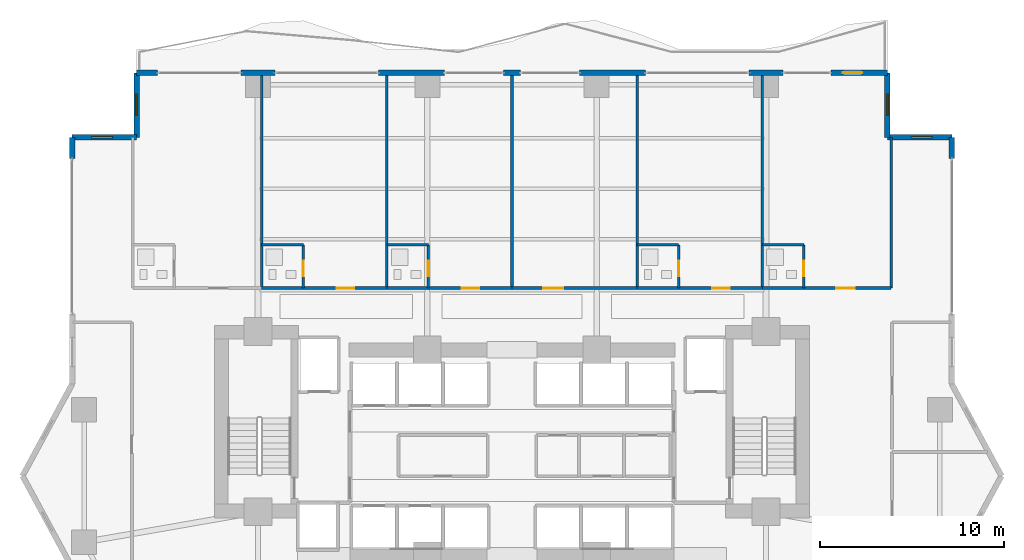
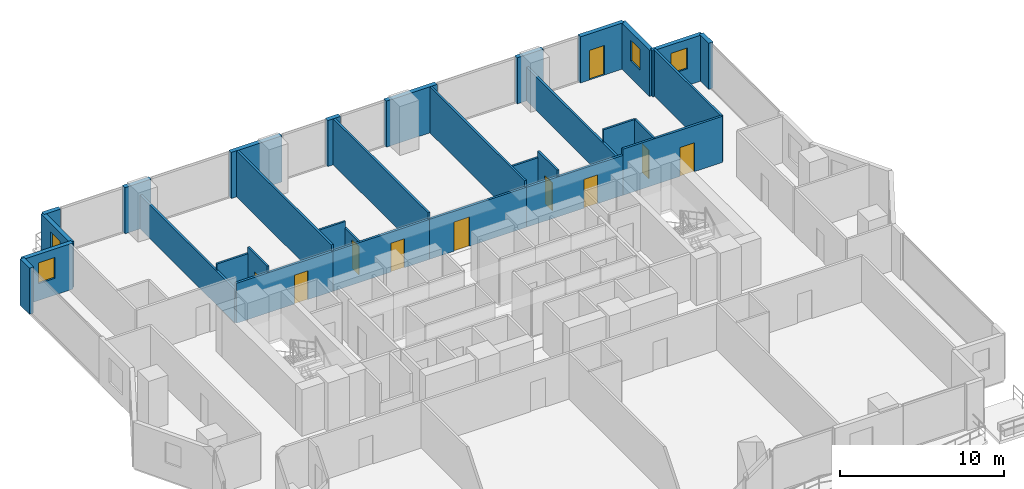
# One storey, part 24 of 30: 32 walls, 10 doors, 4 windows, 14 openings.
"""IFC4 building model written with IfcOpenShell, lengths in metres."""

import ifcopenshell
import ifcopenshell.guid

model = None  # the IFC model being written
_history = None  # IfcOwnerHistory: only IFC2X3 demands one
_inside = {}  # id of a spatial element -> (the spatial element, [elements in it])
_under = {}  # id of a project, library or spatial element -> (it, [spatial elements below it])
_declared = {}  # id of a project -> (the project, [libraries it declares])
_typed = {}  # id of a type object -> (the type object, [elements of that type])
_made_of = {}  # id of a material, layer set ... -> (it, [elements and type objects made of it])


def new_model(schema):
    """Start an empty IFC model of exactly this schema.

    Asked for "IFC4X3", IfcOpenShell would pick the latest addendum, in which some entities
    have other attributes; the version numbers below select the first issue.
    IFC2X3 requires an IfcOwnerHistory on every rooted entity: one is made here for all.
    """
    global model, _history
    if schema == "IFC4X3":
        model = ifcopenshell.file(schema_version=(4, 3, 0, 0))
    else:
        model = ifcopenshell.file(schema=schema)
    _inside.clear()
    _under.clear()
    _declared.clear()
    _typed.clear()
    _made_of.clear()
    _history = None
    if model.schema == "IFC2X3":
        org = make("IfcOrganization", Name="unknown")
        user = make(
            "IfcPersonAndOrganization",
            ThePerson=make("IfcPerson", FamilyName="unknown"),
            TheOrganization=org,
        )
        app = make(
            "IfcApplication",
            ApplicationDeveloper=org,
            Version="unknown",
            ApplicationFullName="unknown",
            ApplicationIdentifier="unknown",
        )
        _history = make(
            "IfcOwnerHistory",
            OwningUser=user,
            OwningApplication=app,
            ChangeAction="ADDED",
            CreationDate=0,
        )
    return model


def make(cls, **values):
    """One entity of the class cls with the attributes given. An attribute that is None is left unset."""
    return model.create_entity(
        cls, **{name: value for name, value in values.items() if value is not None}
    )


def rooted(cls, **values):
    """An entity with a GlobalId (a new one), such as an element, a storey or a relation."""
    return make(cls, GlobalId=ifcopenshell.guid.new(), OwnerHistory=_history, **values)


def si_unit(unit_type, name, prefix=None):
    """IfcSIUnit, for example si_unit("LENGTHUNIT", "METRE", prefix="MILLI")."""
    return make("IfcSIUnit", UnitType=unit_type, Prefix=prefix, Name=name)


def assignment(units):
    """IfcUnitAssignment: the units of a project."""
    return None if units is None else make("IfcUnitAssignment", Units=units)


def point(xyz):
    """IfcCartesianPoint."""
    return None if xyz is None else make("IfcCartesianPoint", Coordinates=xyz)


def direction(xyz):
    """IfcDirection."""
    return None if xyz is None else make("IfcDirection", DirectionRatios=xyz)


def frame(location, z_axis=None, x_axis=None):
    """IfcAxis2Placement3D, a coordinate frame: its origin and axes. An axis left out is left unset."""
    return make(
        "IfcAxis2Placement3D",
        Location=point(location),
        Axis=direction(z_axis),
        RefDirection=direction(x_axis),
    )


def frame_2d(location, x_axis=None):
    """IfcAxis2Placement2D, a coordinate frame in the plane: its origin and x axis."""
    return make(
        "IfcAxis2Placement2D", Location=point(location), RefDirection=direction(x_axis)
    )


def origin():
    """The frame at (0, 0, 0) with its axes left unset."""
    return frame((0.0, 0.0, 0.0))


def place(relative_to, where):
    """IfcLocalPlacement: puts the frame where relative to a parent placement (None: the world)."""
    return make(
        "IfcLocalPlacement", PlacementRelTo=relative_to, RelativePlacement=where
    )


def context(
    kind, dimensions, precision=None, world=None, true_north=None, identifier=None
):
    """IfcGeometricRepresentationContext, for example the 3D "Model" context."""
    return make(
        "IfcGeometricRepresentationContext",
        ContextIdentifier=identifier,
        ContextType=kind,
        CoordinateSpaceDimension=dimensions,
        Precision=precision,
        WorldCoordinateSystem=world,
        TrueNorth=true_north,
    )


def subcontext(parent, identifier, kind, view, scale=None):
    """IfcGeometricRepresentationSubContext, for example "Body" below "Model"."""
    return make(
        "IfcGeometricRepresentationSubContext",
        ContextIdentifier=identifier,
        ContextType=kind,
        ParentContext=parent,
        TargetScale=scale,
        TargetView=view,
    )


def project(units=None, contexts=None):
    """IfcProject with its units and contexts."""
    return rooted(
        "IfcProject",
        Name="project",
        RepresentationContexts=contexts,
        UnitsInContext=assignment(units),
    )


def spatial(cls, under=None, at=None, **own):
    """A site, building, storey or space (cls), placed at a placement, below another one or the project."""
    s = rooted(cls, ObjectPlacement=at, **own)
    if under is not None:
        _under.setdefault(under.id(), (under, []))[1].append(s)
    return s


def profile(cls, at=None, kind="AREA", **sizes):
    """A parametric profile (cls). Its sizes go by their IFC names, for example OverallWidth=200.0."""
    return make(cls, ProfileType=kind, Position=at, **sizes)


def rectangle(**sizes):
    """IfcRectangleProfileDef."""
    return profile("IfcRectangleProfileDef", **sizes)


def extrude(swept, where, along, depth):
    """IfcExtrudedAreaSolid: the profile swept, set in the frame where, extruded along a direction by depth."""
    return make(
        "IfcExtrudedAreaSolid",
        SweptArea=swept,
        Position=where,
        ExtrudedDirection=direction(along),
        Depth=depth,
    )


def shape(context_of_items, identifier, shape_type, items):
    """IfcShapeRepresentation: the items that make up one representation, for example the "Body"."""
    return make(
        "IfcShapeRepresentation",
        ContextOfItems=context_of_items,
        RepresentationIdentifier=identifier,
        RepresentationType=shape_type,
        Items=items,
    )


def material(Name=None, Category=None):
    """IfcMaterial."""
    return make("IfcMaterial", Name=Name, Category=Category)


def layer(
    of_material, thickness, ventilated=None, Name=None, Category=None, Priority=None
):
    """IfcMaterialLayer: one layer of a wall or slab, of a material (None: an air gap)."""
    return make(
        "IfcMaterialLayer",
        Material=of_material,
        LayerThickness=thickness,
        IsVentilated=ventilated,
        Name=Name,
        Category=Category,
        Priority=Priority,
    )


def layer_set(layers, Name=None):
    """IfcMaterialLayerSet."""
    return make("IfcMaterialLayerSet", MaterialLayers=layers, LayerSetName=Name)


def made_of(thing, what):
    """Note that an element or type object is made of a material, layer set ...; save() writes the relation."""
    if what is not None:
        _made_of.setdefault(what.id(), (what, []))[1].append(thing)
    return thing


def type_object(cls, material=None, **own):
    """A type object (cls), such as IfcWallType, which elements share."""
    return made_of(rooted(cls, **own), material)


def element(
    cls,
    number,
    at=None,
    inside=None,
    cuts=None,
    type_object=None,
    material=None,
    context=None,
    identifier="Body",
    shape_type=None,
    held_by="IfcProductDefinitionShape",
    body=None,
    shapes=None,
    **own,
):
    """One element of the class cls, such as IfcWall. Its Tag is "e" and its number.

    at: its placement. inside: the storey or other place that contains it. cuts: it is an
    opening in that element (IfcRelVoidsElement). A single representation is given by context,
    identifier, shape_type and body (its items); several are given by shapes. held_by: the class
    of the entity that holds the representations. save() writes the other relations.
    """
    e = rooted(cls, Tag="e%d" % number, ObjectPlacement=at, **own)
    if body is not None:
        shapes = [shape(context, identifier, shape_type, body)]
    if shapes is not None:
        e.Representation = make(held_by, Representations=shapes)
    if inside is not None:
        _inside.setdefault(inside.id(), (inside, []))[1].append(e)
    if cuts is not None:
        rooted(
            "IfcRelVoidsElement", RelatingBuildingElement=cuts, RelatedOpeningElement=e
        )
    if type_object is not None:
        _typed.setdefault(type_object.id(), (type_object, []))[1].append(e)
    return made_of(e, material)


def fill(opening, filler):
    """IfcRelFillsElement: the door or window that sits in an opening."""
    return rooted(
        "IfcRelFillsElement",
        RelatingOpeningElement=opening,
        RelatedBuildingElement=filler,
    )


def aggregate(whole, parts):
    """IfcRelAggregates: a whole, such as a stair, and the parts it consists of."""
    return rooted("IfcRelAggregates", RelatingObject=whole, RelatedObjects=parts)


def save(model, path):
    """Write the relations noted so far, then the file.

    IfcRelAggregates (storeys below a building ...), IfcRelContainedInSpatialStructure (elements
    in a storey), IfcRelDefinesByType, IfcRelAssociatesMaterial and IfcRelDeclares: one each for
    every whole, place, type object, material and project.
    """
    for whole, parts in _under.values():
        aggregate(whole, parts)
    for where, things in _inside.values():
        rooted(
            "IfcRelContainedInSpatialStructure",
            RelatedElements=things,
            RelatingStructure=where,
        )
    for kind, things in _typed.values():
        rooted("IfcRelDefinesByType", RelatedObjects=things, RelatingType=kind)
    for what, things in _made_of.values():
        rooted("IfcRelAssociatesMaterial", RelatedObjects=things, RelatingMaterial=what)
    for by, libraries in _declared.values():
        rooted("IfcRelDeclares", RelatingContext=by, RelatedDefinitions=libraries)
    model.write(path)


model = new_model("IFC4")

# Units and contexts
model_context = context("Model", 3, precision=1e-05, world=origin(), true_north=direction((0.0, 1.0)))
body_context = subcontext(model_context, "Body", "Model", "MODEL_VIEW")
ifc_project = project(units=[si_unit("LENGTHUNIT", "METRE"), si_unit("AREAUNIT", "SQUARE_METRE"), si_unit("VOLUMEUNIT", "CUBIC_METRE"), si_unit("PLANEANGLEUNIT", "RADIAN"), si_unit("MASSUNIT", "GRAM", prefix="KILO")], contexts=[model_context])

# Site, building, storey
site_placement = place(None, origin())
site = spatial("IfcSite", under=ifc_project, at=site_placement, CompositionType="ELEMENT")
building_placement = place(site_placement, origin())
building = spatial("IfcBuilding", under=site, at=building_placement, Name="Zuhayl Quay Hotel", CompositionType="ELEMENT")
storey_placement = place(building_placement, frame((0.0, 0.0, 128.5)))
storey = spatial("IfcBuildingStorey", under=building, at=storey_placement, Name="L32", CompositionType="ELEMENT", Elevation=128.5)

# Wall
ifc_material_1 = material(Name="Precast concrete C45/55", Category="concrete")
ifc_layer_1 = layer(ifc_material_1, 0.300048828125, Name="Precast concrete C45/55", Category="concrete")
ifc_layer_set_1 = layer_set([ifc_layer_1], Name="Precast concrete C45/55")
wall_type_1 = type_object("IfcWallType", Name="WL_EXT_300", PredefinedType="STANDARD", material=ifc_layer_set_1)
wall_1_placement = place(storey_placement, frame((-23.89990234375, 23.75, 0.0), z_axis=(0.0, 0.0, 1.0), x_axis=(0.0, 1.0, 0.0)))
element("IfcWall", 1, at=wall_1_placement, inside=storey, type_object=wall_type_1, Name="L32 Exterior Precast Wall ENV_L32_E05_EW2", PredefinedType="STANDARD", context=body_context, shape_type="SweptSolid", body=[
    extrude(rectangle(XDim=1.14990234375, YDim=0.300048828125, at=frame_2d((0.574951171875, 0.0))), origin(), (0.0, 0.0, 1.0), 3.429931640625),
])

# Wall, opening, window
wall_2_placement = place(storey_placement, frame((-23.89990234375, 24.89990234375, 0.0), z_axis=(0.0, 0.0, 1.0), x_axis=(1.0, 0.0, 0.0)))
wall_2 = element("IfcWall", 2, at=wall_2_placement, inside=storey, type_object=wall_type_1, Name="L32 Exterior Precast Wall ENV_L32_EW06", PredefinedType="STANDARD", context=body_context, shape_type="SweptSolid", body=[
    extrude(rectangle(XDim=3.5, YDim=0.300048828125, at=frame_2d((1.75, 0.0))), origin(), (0.0, 0.0, 1.0), 3.429931640625),
])
opening_1_placement = place(wall_2_placement, frame((1.06494140625, 0.0, 1.25)))
opening_1 = element("IfcOpeningElement", 3, at=opening_1_placement, cuts=wall_2, Name="Opening W01N", PredefinedType="OPENING", context=body_context, shape_type="SweptSolid", body=[
    extrude(rectangle(XDim=1.14990234375, YDim=1.550048828125, at=frame_2d((0.574951171875, 0.77490234375))), frame((0.0, 0.159912109375, 0.0), z_axis=(0.0, -1.0, 0.0), x_axis=(1.0, 0.0, 0.0)), (0.0, 0.0, 1.0), 0.320068359375),
])
ifc_material_2 = material(Name="Dark Ceramic-Fritted Solar Glass", Category="glass")
window_type = type_object("IfcWindowType", Name="WN_NOTCH_1350", PartitioningType="SINGLE_PANEL", PredefinedType="WINDOW", material=ifc_material_2)
window_1_placement = place(opening_1_placement, origin())
window_1 = element("IfcWindow", 4, at=window_1_placement, inside=storey, type_object=window_type, Name="L32 Corner Notch Window 6", OverallHeight=1.550048828125, OverallWidth=1.14990234375, PartitioningType="SINGLE_PANEL", PredefinedType="WINDOW", context=body_context, shape_type="SweptSolid", body=[
    extrude(rectangle(XDim=1.14990234375, YDim=1.550048828125, at=frame_2d((0.574951171875, 0.77490234375))), frame((0.0, 0.030029296875, 0.0), z_axis=(0.0, -1.0, 0.0), x_axis=(1.0, 0.0, 0.0)), (0.0, 0.0, 1.0), 0.06005859375),
])
fill(opening_1, window_1)

wall_3_placement = place(storey_placement, frame((-20.39990234375, 24.89990234375, 0.0), z_axis=(0.0, 0.0, 1.0), x_axis=(0.0, 1.0, 0.0)))
wall_3 = element("IfcWall", 5, at=wall_3_placement, inside=storey, type_object=wall_type_1, Name="L32 Exterior Precast Wall ENV_L32_EW07", PredefinedType="STANDARD", context=body_context, shape_type="SweptSolid", body=[
    extrude(rectangle(XDim=3.5, YDim=0.300048828125, at=frame_2d((1.75, 0.0))), origin(), (0.0, 0.0, 1.0), 3.429931640625),
])
opening_2_placement = place(wall_3_placement, frame((1.18505859375, 0.0, 1.25)))
opening_2 = element("IfcOpeningElement", 6, at=opening_2_placement, cuts=wall_3, Name="Opening W01N", PredefinedType="OPENING", context=body_context, shape_type="SweptSolid", body=[
    extrude(rectangle(XDim=1.14990234375, YDim=1.550048828125, at=frame_2d((0.574951171875, 0.77490234375))), frame((0.0, 0.159912109375, 0.0), z_axis=(0.0, -1.0, 0.0), x_axis=(1.0, 0.0, 0.0)), (0.0, 0.0, 1.0), 0.320068359375),
])
window_2_placement = place(opening_2_placement, origin())
window_2 = element("IfcWindow", 7, at=window_2_placement, inside=storey, type_object=window_type, Name="L32 Corner Notch Window 7", OverallHeight=1.550048828125, OverallWidth=1.14990234375, PartitioningType="SINGLE_PANEL", PredefinedType="WINDOW", context=body_context, shape_type="SweptSolid", body=[
    extrude(rectangle(XDim=1.14990234375, YDim=1.550048828125, at=frame_2d((0.574951171875, 0.77490234375))), frame((0.0, 0.030029296875, 0.0), z_axis=(0.0, -1.0, 0.0), x_axis=(1.0, 0.0, 0.0)), (0.0, 0.0, 1.0), 0.06005859375),
])
fill(opening_2, window_2)

# Walls
wall_4_placement = place(storey_placement, frame((-20.39990234375, 28.39990234375, 0.0), z_axis=(0.0, 0.0, 1.0), x_axis=(1.0, 0.0, 0.0)))
element("IfcWall", 8, at=wall_4_placement, inside=storey, type_object=wall_type_1, Name="L32 Exterior Precast Wall ENV_L32_N_EW1", PredefinedType="STANDARD", context=body_context, shape_type="SweptSolid", body=[
    extrude(rectangle(XDim=1.14990234375, YDim=0.300048828125, at=frame_2d((0.574951171875, 0.0))), origin(), (0.0, 0.0, 1.0), 3.429931640625),
])
wall_5_placement = place(storey_placement, frame((-14.719970703125, 28.39990234375, 0.0), z_axis=(0.0, 0.0, 1.0), x_axis=(1.0, 0.0, 0.0)))
element("IfcWall", 9, at=wall_5_placement, inside=storey, type_object=wall_type_1, Name="L32 Exterior Precast Wall ENV_L32_N_EW2", PredefinedType="STANDARD", context=body_context, shape_type="SweptSolid", body=[
    extrude(rectangle(XDim=1.840087890625, YDim=0.300048828125, at=frame_2d((0.919921875, 0.0))), origin(), (0.0, 0.0, 1.0), 3.429931640625),
])
wall_6_placement = place(storey_placement, frame((-7.25, 28.39990234375, 0.0), z_axis=(0.0, 0.0, 1.0), x_axis=(1.0, 0.0, 0.0)))
element("IfcWall", 10, at=wall_6_placement, inside=storey, type_object=wall_type_1, Name="L32 Exterior Precast Wall ENV_L32_N_EW3", PredefinedType="STANDARD", context=body_context, shape_type="SweptSolid", body=[
    extrude(rectangle(XDim=3.570068359375, YDim=0.300048828125, at=frame_2d((1.78515625, 0.0))), origin(), (0.0, 0.0, 1.0), 3.429931640625),
])
wall_7_placement = place(storey_placement, frame((-0.449951171875, 28.39990234375, 0.0), z_axis=(0.0, 0.0, 1.0), x_axis=(1.0, 0.0, 0.0)))
element("IfcWall", 11, at=wall_7_placement, inside=storey, type_object=wall_type_1, Name="L32 Exterior Precast Wall ENV_L32_N_EW4", PredefinedType="STANDARD", context=body_context, shape_type="SweptSolid", body=[
    extrude(rectangle(XDim=0.89990234375, YDim=0.300048828125, at=frame_2d((0.449951171875, 0.0))), origin(), (0.0, 0.0, 1.0), 3.429931640625),
])
wall_8_placement = place(storey_placement, frame((3.679931640625, 28.39990234375, 0.0), z_axis=(0.0, 0.0, 1.0), x_axis=(1.0, 0.0, 0.0)))
element("IfcWall", 12, at=wall_8_placement, inside=storey, type_object=wall_type_1, Name="L32 Exterior Precast Wall ENV_L32_N_EW5", PredefinedType="STANDARD", context=body_context, shape_type="SweptSolid", body=[
    extrude(rectangle(XDim=3.570068359375, YDim=0.300048828125, at=frame_2d((1.78515625, 0.0))), origin(), (0.0, 0.0, 1.0), 3.429931640625),
])
wall_9_placement = place(storey_placement, frame((12.8798828125, 28.39990234375, 0.0), z_axis=(0.0, 0.0, 1.0), x_axis=(1.0, 0.0, 0.0)))
element("IfcWall", 13, at=wall_9_placement, inside=storey, type_object=wall_type_1, Name="L32 Exterior Precast Wall ENV_L32_N_EW6", PredefinedType="STANDARD", context=body_context, shape_type="SweptSolid", body=[
    extrude(rectangle(XDim=1.840087890625, YDim=0.300048828125, at=frame_2d((0.919921875, 0.0))), origin(), (0.0, 0.0, 1.0), 3.429931640625),
])

# Wall, opening, door
wall_10_placement = place(storey_placement, frame((17.324951171875, 28.39990234375, 0.0), z_axis=(0.0, 0.0, 1.0), x_axis=(1.0, 0.0, 0.0)))
wall_10 = element("IfcWall", 14, at=wall_10_placement, inside=storey, type_object=wall_type_1, Name="L32 Exterior Precast Wall ENV_L32_N_EW7", PredefinedType="STANDARD", context=body_context, shape_type="SweptSolid", body=[
    extrude(rectangle(XDim=3.074951171875, YDim=0.300048828125, at=frame_2d((1.53759765625, 0.0))), origin(), (0.0, 0.0, 1.0), 3.429931640625),
])
opening_3_placement = place(wall_10_placement, frame((0.64990234375, 0.0, 0.0)))
opening_3 = element("IfcOpeningElement", 15, at=opening_3_placement, cuts=wall_10, Name="Opening DG1", PredefinedType="OPENING", context=body_context, shape_type="SweptSolid", body=[
    extrude(rectangle(XDim=1.050048828125, YDim=2.199951171875, at=frame_2d((0.52490234375, 1.10009765625))), frame((0.0, 0.159912109375, 0.0), z_axis=(0.0, -1.0, 0.0), x_axis=(1.0, 0.0, 0.0)), (0.0, 0.0, 1.0), 0.320068359375),
])
ifc_material_3 = material(Name="Anodised Aluminium and Dark Solar Glass", Category="aluminium")
door_type_1 = type_object("IfcDoorType", Name="DR_EXT_TERR_1050", OperationType="NOTDEFINED", PredefinedType="DOOR", material=ifc_material_3)
door_1_placement = place(opening_3_placement, origin())
door_1 = element("IfcDoor", 16, at=door_1_placement, inside=storey, type_object=door_type_1, Name="L32 North Rippling Balcony Door", OperationType="SINGLE_SWING_LEFT", OverallHeight=2.199951171875, OverallWidth=1.050048828125, PredefinedType="DOOR", context=body_context, shape_type="SweptSolid", body=[
    extrude(rectangle(XDim=1.050048828125, YDim=2.199951171875, at=frame_2d((0.52490234375, 1.10009765625))), frame((0.0, 0.02490234375, 0.0), z_axis=(0.0, -1.0, 0.0), x_axis=(1.0, 0.0, 0.0)), (0.0, 0.0, 1.0), 0.050048828125),
])
fill(opening_3, door_1)

# Wall, opening, window
wall_11_placement = place(storey_placement, frame((20.39990234375, 28.39990234375, 0.0), z_axis=(0.0, 0.0, 1.0), x_axis=(0.0, -1.0, 0.0)))
wall_11 = element("IfcWall", 17, at=wall_11_placement, inside=storey, type_object=wall_type_1, Name="L32 Exterior Precast Wall ENV_L32_EW09", PredefinedType="STANDARD", context=body_context, shape_type="SweptSolid", body=[
    extrude(rectangle(XDim=3.5, YDim=0.300048828125, at=frame_2d((1.75, 0.0))), origin(), (0.0, 0.0, 1.0), 3.429931640625),
])
opening_4_placement = place(wall_11_placement, frame((1.1650390625, 0.0, 1.25)))
opening_4 = element("IfcOpeningElement", 18, at=opening_4_placement, cuts=wall_11, Name="Opening W01N", PredefinedType="OPENING", context=body_context, shape_type="SweptSolid", body=[
    extrude(rectangle(XDim=1.14990234375, YDim=1.550048828125, at=frame_2d((0.574951171875, 0.77490234375))), frame((0.0, 0.159912109375, 0.0), z_axis=(0.0, -1.0, 0.0), x_axis=(1.0, 0.0, 0.0)), (0.0, 0.0, 1.0), 0.320068359375),
])
window_3_placement = place(opening_4_placement, origin())
window_3 = element("IfcWindow", 19, at=window_3_placement, inside=storey, type_object=window_type, Name="L32 Corner Notch Window 9", OverallHeight=1.550048828125, OverallWidth=1.14990234375, PartitioningType="SINGLE_PANEL", PredefinedType="WINDOW", context=body_context, shape_type="SweptSolid", body=[
    extrude(rectangle(XDim=1.14990234375, YDim=1.550048828125, at=frame_2d((0.574951171875, 0.77490234375))), frame((0.0, 0.030029296875, 0.0), z_axis=(0.0, -1.0, 0.0), x_axis=(1.0, 0.0, 0.0)), (0.0, 0.0, 1.0), 0.06005859375),
])
fill(opening_4, window_3)

wall_12_placement = place(storey_placement, frame((20.39990234375, 24.89990234375, 0.0), z_axis=(0.0, 0.0, 1.0), x_axis=(1.0, 0.0, 0.0)))
wall_12 = element("IfcWall", 20, at=wall_12_placement, inside=storey, type_object=wall_type_1, Name="L32 Exterior Precast Wall ENV_L32_EW10", PredefinedType="STANDARD", context=body_context, shape_type="SweptSolid", body=[
    extrude(rectangle(XDim=3.5, YDim=0.300048828125, at=frame_2d((1.75, 0.0))), origin(), (0.0, 0.0, 1.0), 3.429931640625),
])
opening_5_placement = place(wall_12_placement, frame((1.284912109375, 0.0, 1.25)))
opening_5 = element("IfcOpeningElement", 21, at=opening_5_placement, cuts=wall_12, Name="Opening W01N", PredefinedType="OPENING", context=body_context, shape_type="SweptSolid", body=[
    extrude(rectangle(XDim=1.14990234375, YDim=1.550048828125, at=frame_2d((0.574951171875, 0.77490234375))), frame((0.0, 0.159912109375, 0.0), z_axis=(0.0, -1.0, 0.0), x_axis=(1.0, 0.0, 0.0)), (0.0, 0.0, 1.0), 0.320068359375),
])
window_4_placement = place(opening_5_placement, origin())
window_4 = element("IfcWindow", 22, at=window_4_placement, inside=storey, type_object=window_type, Name="L32 Corner Notch Window 10", OverallHeight=1.550048828125, OverallWidth=1.14990234375, PartitioningType="SINGLE_PANEL", PredefinedType="WINDOW", context=body_context, shape_type="SweptSolid", body=[
    extrude(rectangle(XDim=1.14990234375, YDim=1.550048828125, at=frame_2d((0.574951171875, 0.77490234375))), frame((0.0, 0.030029296875, 0.0), z_axis=(0.0, -1.0, 0.0), x_axis=(1.0, 0.0, 0.0)), (0.0, 0.0, 1.0), 0.06005859375),
])
fill(opening_5, window_4)

# Walls
wall_13_placement = place(storey_placement, frame((23.89990234375, 24.89990234375, 0.0), z_axis=(0.0, 0.0, 1.0), x_axis=(0.0, -1.0, 0.0)))
element("IfcWall", 23, at=wall_13_placement, inside=storey, type_object=wall_type_1, Name="L32 Exterior Precast Wall ENV_L32_E11_EW1", PredefinedType="STANDARD", context=body_context, shape_type="SweptSolid", body=[
    extrude(rectangle(XDim=1.14990234375, YDim=0.300048828125, at=frame_2d((0.574951171875, 0.0))), origin(), (0.0, 0.0, 1.0), 3.429931640625),
])
ifc_material_4 = material(Name="Acoustic Gypsum Partition STC-58")
ifc_layer_2 = layer(ifc_material_4, 0.14990234375, Name="Acoustic Gypsum Partition STC-58")
ifc_layer_set_2 = layer_set([ifc_layer_2], Name="Acoustic Gypsum Partition STC-58")
wall_type_2 = type_object("IfcWallType", Name="WL_PART_150", PredefinedType="PARTITIONING", material=ifc_layer_set_2)
wall_14_placement = place(storey_placement, frame((-13.60009765625, 16.699951171875, 0.0), z_axis=(0.0, 0.0, 1.0), x_axis=(0.0, 1.0, 0.0)))
element("IfcWall", 24, at=wall_14_placement, inside=storey, type_object=wall_type_2, Name="L32 Partition IW_L32_NU01_E", PredefinedType="PARTITIONING", context=body_context, shape_type="SweptSolid", body=[
    extrude(rectangle(XDim=11.6201171875, YDim=0.14990234375, at=frame_2d((5.81005859375, 0.0))), origin(), (0.0, 0.0, 1.0), 2.5029296875),
])
for number, where, z_axis, x_axis, name in (
    (25, (-6.800048828125, 16.699951171875, 0.0), (0.0, 0.0, 1.0), (0.0, 1.0, 0.0), "L32 Partition IW_L32_NU02_E"),
    (26, (0.0, 16.699951171875, 0.0), (0.0, 0.0, 1.0), (0.0, 1.0, 0.0), "L32 Partition IW_L32_NU03_E"),
):
    element("IfcWall", number, at=place(storey_placement, frame(where, z_axis=z_axis, x_axis=x_axis)), inside=storey, type_object=wall_type_2, Name=name, PredefinedType="PARTITIONING", context=body_context, shape_type="SweptSolid", body=[
        extrude(rectangle(XDim=11.6201171875, YDim=0.14990234375, at=frame_2d((5.81005859375, 0.0))), origin(), (0.0, 0.0, 1.0), 3.429931640625),
    ])
wall_15_placement = place(storey_placement, frame((6.800048828125, 16.699951171875, 0.0), z_axis=(0.0, 0.0, 1.0), x_axis=(0.0, 1.0, 0.0)))
element("IfcWall", 27, at=wall_15_placement, inside=storey, type_object=wall_type_2, Name="L32 Partition IW_L32_NSAL_3_E", PredefinedType="PARTITIONING", context=body_context, shape_type="SweptSolid", body=[
    extrude(rectangle(XDim=11.64013671875, YDim=0.14990234375, at=frame_2d((5.820068359375, 0.0))), origin(), (0.0, 0.0, 1.0), 3.429931640625),
])
wall_16_placement = place(storey_placement, frame((13.60009765625, 16.699951171875, 0.0), z_axis=(0.0, 0.0, 1.0), x_axis=(0.0, 1.0, 0.0)))
element("IfcWall", 28, at=wall_16_placement, inside=storey, type_object=wall_type_2, Name="L32 Partition IW_L32_NU05_E", PredefinedType="PARTITIONING", context=body_context, shape_type="SweptSolid", body=[
    extrude(rectangle(XDim=11.6201171875, YDim=0.14990234375, at=frame_2d((5.81005859375, 0.0))), origin(), (0.0, 0.0, 1.0), 2.5029296875),
])
wall_17_placement = place(storey_placement, frame((20.60009765625, 16.699951171875, 0.0), z_axis=(0.0, 0.0, 1.0), x_axis=(0.0, 1.0, 0.0)))
element("IfcWall", 29, at=wall_17_placement, inside=storey, type_object=wall_type_2, Name="L32 Partition IW_L32_NU06_E", PredefinedType="PARTITIONING", context=body_context, shape_type="SweptSolid", body=[
    extrude(rectangle(XDim=8.199951171875, YDim=0.14990234375, at=frame_2d((4.10009765625, 0.0))), origin(), (0.0, 0.0, 1.0), 3.429931640625),
])

# Wall, opening, door
ifc_layer_3 = layer(ifc_material_4, 0.159912109375, Name="Acoustic Gypsum Partition STC-58")
ifc_layer_set_3 = layer_set([ifc_layer_3], Name="Acoustic Gypsum Partition STC-58")
wall_type_3 = type_object("IfcWallType", Name="WL_PART_CORR_160", PredefinedType="PARTITIONING", material=ifc_layer_set_3)
wall_18_placement = place(storey_placement, frame((-13.60009765625, 16.699951171875, 0.0), z_axis=(0.0, 0.0, 1.0), x_axis=(1.0, 0.0, 0.0)))
wall_18 = element("IfcWall", 30, at=wall_18_placement, inside=storey, type_object=wall_type_3, Name="L32 Partition IW_L32_NU02_COR", PredefinedType="PARTITIONING", context=body_context, shape_type="SweptSolid", body=[
    extrude(rectangle(XDim=6.800048828125, YDim=0.159912109375, at=frame_2d((3.39990234375, 0.0))), origin(), (0.0, 0.0, 1.0), 2.972900390625),
])
opening_6_placement = place(wall_18_placement, frame((4.074951171875, 0.0, 0.0)))
opening_6 = element("IfcOpeningElement", 31, at=opening_6_placement, cuts=wall_18, Name="Opening D03", PredefinedType="OPENING", context=body_context, shape_type="SweptSolid", body=[
    extrude(rectangle(XDim=0.949951171875, YDim=2.14990234375, at=frame_2d((0.47509765625, 1.074951171875))), frame((0.0, 0.08984375, 0.0), z_axis=(0.0, -1.0, 0.0), x_axis=(1.0, 0.0, 0.0)), (0.0, 0.0, 1.0), 0.179931640625),
])
ifc_material_5 = material(Name="Solid Walnut Acoustic Fire Door")
door_type_2 = type_object("IfcDoorType", Name="DR_SUITE_950", OperationType="NOTDEFINED", PredefinedType="DOOR", material=ifc_material_5)
door_2_placement = place(opening_6_placement, origin())
door_2 = element("IfcDoor", 32, at=door_2_placement, inside=storey, type_object=door_type_2, Name="L32 Deluxe Gulf Guest Room L32-02 Entrance Door", OperationType="SINGLE_SWING_RIGHT", OverallHeight=2.14990234375, OverallWidth=0.949951171875, PredefinedType="DOOR", context=body_context, shape_type="SweptSolid", body=[
    extrude(rectangle(XDim=0.949951171875, YDim=2.14990234375, at=frame_2d((0.47509765625, 1.074951171875))), frame((0.0, 0.02490234375, 0.0), z_axis=(0.0, -1.0, 0.0), x_axis=(1.0, 0.0, 0.0)), (0.0, 0.0, 1.0), 0.050048828125),
])
fill(opening_6, door_2)

wall_19_placement = place(storey_placement, frame((-6.800048828125, 16.699951171875, 0.0), z_axis=(0.0, 0.0, 1.0), x_axis=(1.0, 0.0, 0.0)))
wall_19 = element("IfcWall", 33, at=wall_19_placement, inside=storey, type_object=wall_type_3, Name="L32 Partition IW_L32_NU03_COR", PredefinedType="PARTITIONING", context=body_context, shape_type="SweptSolid", body=[
    extrude(rectangle(XDim=6.800048828125, YDim=0.159912109375, at=frame_2d((3.39990234375, 0.0))), origin(), (0.0, 0.0, 1.0), 2.972900390625),
])
opening_7_placement = place(wall_19_placement, frame((4.074951171875, 0.0, 0.0)))
opening_7 = element("IfcOpeningElement", 34, at=opening_7_placement, cuts=wall_19, Name="Opening D03", PredefinedType="OPENING", context=body_context, shape_type="SweptSolid", body=[
    extrude(rectangle(XDim=0.949951171875, YDim=2.14990234375, at=frame_2d((0.47509765625, 1.074951171875))), frame((0.0, 0.08984375, 0.0), z_axis=(0.0, -1.0, 0.0), x_axis=(1.0, 0.0, 0.0)), (0.0, 0.0, 1.0), 0.179931640625),
])
door_3_placement = place(opening_7_placement, origin())
door_3 = element("IfcDoor", 35, at=door_3_placement, inside=storey, type_object=door_type_2, Name="L32 Deluxe Gulf Guest Room L32-03 Entrance Door", OperationType="SINGLE_SWING_RIGHT", OverallHeight=2.14990234375, OverallWidth=0.949951171875, PredefinedType="DOOR", context=body_context, shape_type="SweptSolid", body=[
    extrude(rectangle(XDim=0.949951171875, YDim=2.14990234375, at=frame_2d((0.47509765625, 1.074951171875))), frame((0.0, 0.02490234375, 0.0), z_axis=(0.0, -1.0, 0.0), x_axis=(1.0, 0.0, 0.0)), (0.0, 0.0, 1.0), 0.050048828125),
])
fill(opening_7, door_3)

wall_20_placement = place(storey_placement, frame((0.0, 16.699951171875, 0.0), z_axis=(0.0, 0.0, 1.0), x_axis=(1.0, 0.0, 0.0)))
wall_20 = element("IfcWall", 36, at=wall_20_placement, inside=storey, type_object=wall_type_3, Name="L32 Partition IW_L32_NSAL_3_S", PredefinedType="PARTITIONING", context=body_context, shape_type="SweptSolid", body=[
    extrude(rectangle(XDim=6.800048828125, YDim=0.159912109375, at=frame_2d((3.39990234375, 0.0))), origin(), (0.0, 0.0, 1.0), 2.972900390625),
])
opening_8_placement = place(wall_20_placement, frame((1.7099609375, 0.0, 0.0)))
opening_8 = element("IfcOpeningElement", 37, at=opening_8_placement, cuts=wall_20, Name="Opening D05A", PredefinedType="OPENING", context=body_context, shape_type="SweptSolid", body=[
    extrude(rectangle(XDim=1.080078125, YDim=2.179931640625, at=frame_2d((0.5400390625, 1.08984375))), frame((0.0, 0.08984375, 0.0), z_axis=(0.0, -1.0, 0.0), x_axis=(1.0, 0.0, 0.0)), (0.0, 0.0, 1.0), 0.179931640625),
])
door_type_3 = type_object("IfcDoorType", Name="DR_INT_1100", OperationType="NOTDEFINED", PredefinedType="DOOR", material=ifc_material_5)
door_4_placement = place(opening_8_placement, origin())
door_4 = element("IfcDoor", 38, at=door_4_placement, inside=storey, type_object=door_type_3, Name="L32 Private Dining Salon Door", OperationType="SINGLE_SWING_LEFT", OverallHeight=2.179931640625, OverallWidth=1.080078125, PredefinedType="DOOR", context=body_context, shape_type="SweptSolid", body=[
    extrude(rectangle(XDim=1.080078125, YDim=2.179931640625, at=frame_2d((0.5400390625, 1.08984375))), frame((0.0, 0.02490234375, 0.0), z_axis=(0.0, -1.0, 0.0), x_axis=(1.0, 0.0, 0.0)), (0.0, 0.0, 1.0), 0.050048828125),
])
fill(opening_8, door_4)

wall_21_placement = place(storey_placement, frame((6.800048828125, 16.699951171875, 0.0), z_axis=(0.0, 0.0, 1.0), x_axis=(1.0, 0.0, 0.0)))
wall_21 = element("IfcWall", 39, at=wall_21_placement, inside=storey, type_object=wall_type_3, Name="L32 Partition IW_L32_NU05_COR", PredefinedType="PARTITIONING", context=body_context, shape_type="SweptSolid", body=[
    extrude(rectangle(XDim=6.800048828125, YDim=0.159912109375, at=frame_2d((3.39990234375, 0.0))), origin(), (0.0, 0.0, 1.0), 2.972900390625),
])
opening_9_placement = place(wall_21_placement, frame((4.074951171875, 0.0, 0.0)))
opening_9 = element("IfcOpeningElement", 40, at=opening_9_placement, cuts=wall_21, Name="Opening D03", PredefinedType="OPENING", context=body_context, shape_type="SweptSolid", body=[
    extrude(rectangle(XDim=0.949951171875, YDim=2.14990234375, at=frame_2d((0.47509765625, 1.074951171875))), frame((0.0, 0.08984375, 0.0), z_axis=(0.0, -1.0, 0.0), x_axis=(1.0, 0.0, 0.0)), (0.0, 0.0, 1.0), 0.179931640625),
])
door_5_placement = place(opening_9_placement, origin())
door_5 = element("IfcDoor", 41, at=door_5_placement, inside=storey, type_object=door_type_2, Name="L32 Deluxe Gulf Guest Room L32-05 Entrance Door", OperationType="SINGLE_SWING_LEFT", OverallHeight=2.14990234375, OverallWidth=0.949951171875, PredefinedType="DOOR", context=body_context, shape_type="SweptSolid", body=[
    extrude(rectangle(XDim=0.949951171875, YDim=2.14990234375, at=frame_2d((0.47509765625, 1.074951171875))), frame((0.0, 0.02490234375, 0.0), z_axis=(0.0, -1.0, 0.0), x_axis=(1.0, 0.0, 0.0)), (0.0, 0.0, 1.0), 0.050048828125),
])
fill(opening_9, door_5)

wall_22_placement = place(storey_placement, frame((13.60009765625, 16.699951171875, 0.0), z_axis=(0.0, 0.0, 1.0), x_axis=(1.0, 0.0, 0.0)))
wall_22 = element("IfcWall", 42, at=wall_22_placement, inside=storey, type_object=wall_type_3, Name="L32 Partition IW_L32_NU06_COR", PredefinedType="PARTITIONING", context=body_context, shape_type="SweptSolid", body=[
    extrude(rectangle(XDim=7.0, YDim=0.159912109375, at=frame_2d((3.5, 0.0))), origin(), (0.0, 0.0, 1.0), 3.429931640625),
])
opening_10_placement = place(wall_22_placement, frame((4.02490234375, 0.0, 0.0)))
opening_10 = element("IfcOpeningElement", 43, at=opening_10_placement, cuts=wall_22, Name="Opening D03L", PredefinedType="OPENING", context=body_context, shape_type="SweptSolid", body=[
    extrude(rectangle(XDim=1.0, YDim=2.14990234375, at=frame_2d((0.5, 1.074951171875))), frame((0.0, 0.08984375, 0.0), z_axis=(0.0, -1.0, 0.0), x_axis=(1.0, 0.0, 0.0)), (0.0, 0.0, 1.0), 0.179931640625),
])
door_type_4 = type_object("IfcDoorType", Name="DR_SUITE_1000", OperationType="NOTDEFINED", PredefinedType="DOOR", material=ifc_material_5)
door_6_placement = place(opening_10_placement, origin())
door_6 = element("IfcDoor", 44, at=door_6_placement, inside=storey, type_object=door_type_4, Name="L32 Deluxe Gulf Junior Suite L32-06 Entrance Door", OperationType="SINGLE_SWING_LEFT", OverallHeight=2.14990234375, OverallWidth=1.0, PredefinedType="DOOR", context=body_context, shape_type="SweptSolid", body=[
    extrude(rectangle(XDim=1.0, YDim=2.14990234375, at=frame_2d((0.5, 1.074951171875))), frame((0.0, 0.02490234375, 0.0), z_axis=(0.0, -1.0, 0.0), x_axis=(1.0, 0.0, 0.0)), (0.0, 0.0, 1.0), 0.050048828125),
])
fill(opening_10, door_6)

ifc_material_6 = material(Name="Moisture-Resistant Sanitarychase Gypsum")
ifc_layer_4 = layer(ifc_material_6, 0.135009765625, Name="Moisture-Resistant Sanitarychase Gypsum")
ifc_layer_set_4 = layer_set([ifc_layer_4], Name="Moisture-Resistant Sanitarychase Gypsum")
wall_type_4 = type_object("IfcWallType", Name="WL_PART_PLUMB_150", PredefinedType="PLUMBINGWALL", material=ifc_layer_set_4)
wall_23_placement = place(storey_placement, frame((-11.340087890625, 16.699951171875, 0.0), z_axis=(0.0, 0.0, 1.0), x_axis=(0.0, 1.0, 0.0)))
wall_23 = element("IfcWall", 45, at=wall_23_placement, inside=storey, type_object=wall_type_4, Name="L32 Partition IW_L32_NU02_BE", PredefinedType="PLUMBINGWALL", context=body_context, shape_type="SweptSolid", body=[
    extrude(rectangle(XDim=2.360107421875, YDim=0.135009765625, at=frame_2d((1.18017578125, 0.0))), origin(), (0.0, 0.0, 1.0), 3.429931640625),
])
opening_11_placement = place(wall_23_placement, frame((0.64990234375, 0.0, 0.0)))
opening_11 = element("IfcOpeningElement", 46, at=opening_11_placement, cuts=wall_23, Name="Opening D04", PredefinedType="OPENING", context=body_context, shape_type="SweptSolid", body=[
    extrude(rectangle(XDim=0.85009765625, YDim=2.10009765625, at=frame_2d((0.425048828125, 1.050048828125))), frame((0.0, 0.077392578125, 0.0), z_axis=(0.0, -1.0, 0.0), x_axis=(1.0, 0.0, 0.0)), (0.0, 0.0, 1.0), 0.155029296875),
])
ifc_material_7 = material(Name="Moisture-Resistant Walnut Veneer")
door_type_5 = type_object("IfcDoorType", Name="DR_BATH_850", OperationType="NOTDEFINED", PredefinedType="DOOR", material=ifc_material_7)
door_7_placement = place(opening_11_placement, origin())
door_7 = element("IfcDoor", 47, at=door_7_placement, inside=storey, type_object=door_type_5, Name="L32 Deluxe Gulf Guest Room L32-02 En-Suite Door", OperationType="SINGLE_SWING_LEFT", OverallHeight=2.10009765625, OverallWidth=0.85009765625, PredefinedType="DOOR", context=body_context, shape_type="SweptSolid", body=[
    extrude(rectangle(XDim=0.85009765625, YDim=2.10009765625, at=frame_2d((0.425048828125, 1.050048828125))), frame((0.0, 0.02490234375, 0.0), z_axis=(0.0, -1.0, 0.0), x_axis=(1.0, 0.0, 0.0)), (0.0, 0.0, 1.0), 0.050048828125),
])
fill(opening_11, door_7)

wall_24_placement = place(storey_placement, frame((-4.5400390625, 16.699951171875, 0.0), z_axis=(0.0, 0.0, 1.0), x_axis=(0.0, 1.0, 0.0)))
wall_24 = element("IfcWall", 48, at=wall_24_placement, inside=storey, type_object=wall_type_4, Name="L32 Partition IW_L32_NU03_BE", PredefinedType="PLUMBINGWALL", context=body_context, shape_type="SweptSolid", body=[
    extrude(rectangle(XDim=2.360107421875, YDim=0.135009765625, at=frame_2d((1.18017578125, 0.0))), origin(), (0.0, 0.0, 1.0), 2.5029296875),
])
opening_12_placement = place(wall_24_placement, frame((0.64990234375, 0.0, 0.0)))
opening_12 = element("IfcOpeningElement", 49, at=opening_12_placement, cuts=wall_24, Name="Opening D04", PredefinedType="OPENING", context=body_context, shape_type="SweptSolid", body=[
    extrude(rectangle(XDim=0.85009765625, YDim=2.10009765625, at=frame_2d((0.425048828125, 1.050048828125))), frame((0.0, 0.077392578125, 0.0), z_axis=(0.0, -1.0, 0.0), x_axis=(1.0, 0.0, 0.0)), (0.0, 0.0, 1.0), 0.155029296875),
])
door_8_placement = place(opening_12_placement, origin())
door_8 = element("IfcDoor", 50, at=door_8_placement, inside=storey, type_object=door_type_5, Name="L32 Deluxe Gulf Guest Room L32-03 En-Suite Door", OperationType="SINGLE_SWING_LEFT", OverallHeight=2.10009765625, OverallWidth=0.85009765625, PredefinedType="DOOR", context=body_context, shape_type="SweptSolid", body=[
    extrude(rectangle(XDim=0.85009765625, YDim=2.10009765625, at=frame_2d((0.425048828125, 1.050048828125))), frame((0.0, 0.02490234375, 0.0), z_axis=(0.0, -1.0, 0.0), x_axis=(1.0, 0.0, 0.0)), (0.0, 0.0, 1.0), 0.050048828125),
])
fill(opening_12, door_8)

wall_25_placement = place(storey_placement, frame((9.06005859375, 16.699951171875, 0.0), z_axis=(0.0, 0.0, 1.0), x_axis=(0.0, 1.0, 0.0)))
wall_25 = element("IfcWall", 51, at=wall_25_placement, inside=storey, type_object=wall_type_4, Name="L32 Partition IW_L32_NU05_BE", PredefinedType="PLUMBINGWALL", context=body_context, shape_type="SweptSolid", body=[
    extrude(rectangle(XDim=2.360107421875, YDim=0.135009765625, at=frame_2d((1.18017578125, 0.0))), origin(), (0.0, 0.0, 1.0), 3.429931640625),
])
opening_13_placement = place(wall_25_placement, frame((0.64990234375, 0.0, 0.0)))
opening_13 = element("IfcOpeningElement", 52, at=opening_13_placement, cuts=wall_25, Name="Opening D04", PredefinedType="OPENING", context=body_context, shape_type="SweptSolid", body=[
    extrude(rectangle(XDim=0.85009765625, YDim=2.10009765625, at=frame_2d((0.425048828125, 1.050048828125))), frame((0.0, 0.077392578125, 0.0), z_axis=(0.0, -1.0, 0.0), x_axis=(1.0, 0.0, 0.0)), (0.0, 0.0, 1.0), 0.155029296875),
])
door_9_placement = place(opening_13_placement, origin())
door_9 = element("IfcDoor", 53, at=door_9_placement, inside=storey, type_object=door_type_5, Name="L32 Deluxe Gulf Guest Room L32-05 En-Suite Door", OperationType="SINGLE_SWING_RIGHT", OverallHeight=2.10009765625, OverallWidth=0.85009765625, PredefinedType="DOOR", context=body_context, shape_type="SweptSolid", body=[
    extrude(rectangle(XDim=0.85009765625, YDim=2.10009765625, at=frame_2d((0.425048828125, 1.050048828125))), frame((0.0, 0.02490234375, 0.0), z_axis=(0.0, -1.0, 0.0), x_axis=(1.0, 0.0, 0.0)), (0.0, 0.0, 1.0), 0.050048828125),
])
fill(opening_13, door_9)

wall_26_placement = place(storey_placement, frame((15.860107421875, 16.699951171875, 0.0), z_axis=(0.0, 0.0, 1.0), x_axis=(0.0, 1.0, 0.0)))
wall_26 = element("IfcWall", 54, at=wall_26_placement, inside=storey, type_object=wall_type_4, Name="L32 Partition IW_L32_NU06_BE", PredefinedType="PLUMBINGWALL", context=body_context, shape_type="SweptSolid", body=[
    extrude(rectangle(XDim=2.360107421875, YDim=0.135009765625, at=frame_2d((1.18017578125, 0.0))), origin(), (0.0, 0.0, 1.0), 3.429931640625),
])
opening_14_placement = place(wall_26_placement, frame((0.64990234375, 0.0, 0.0)))
opening_14 = element("IfcOpeningElement", 55, at=opening_14_placement, cuts=wall_26, Name="Opening D04", PredefinedType="OPENING", context=body_context, shape_type="SweptSolid", body=[
    extrude(rectangle(XDim=0.85009765625, YDim=2.10009765625, at=frame_2d((0.425048828125, 1.050048828125))), frame((0.0, 0.077392578125, 0.0), z_axis=(0.0, -1.0, 0.0), x_axis=(1.0, 0.0, 0.0)), (0.0, 0.0, 1.0), 0.155029296875),
])
door_10_placement = place(opening_14_placement, origin())
door_10 = element("IfcDoor", 56, at=door_10_placement, inside=storey, type_object=door_type_5, Name="L32 Deluxe Gulf Junior Suite L32-06 En-Suite Door", OperationType="SINGLE_SWING_RIGHT", OverallHeight=2.10009765625, OverallWidth=0.85009765625, PredefinedType="DOOR", context=body_context, shape_type="SweptSolid", body=[
    extrude(rectangle(XDim=0.85009765625, YDim=2.10009765625, at=frame_2d((0.425048828125, 1.050048828125))), frame((0.0, 0.02490234375, 0.0), z_axis=(0.0, -1.0, 0.0), x_axis=(1.0, 0.0, 0.0)), (0.0, 0.0, 1.0), 0.050048828125),
])
fill(opening_14, door_10)

# Walls
for number, where, z_axis, x_axis, name in (
    (57, (-13.60009765625, 19.06005859375, 0.0), (0.0, 0.0, 1.0), (1.0, 0.0, 0.0), "L32 Partition IW_L32_NU02_BN"),
    (58, (-6.800048828125, 19.06005859375, 0.0), (0.0, 0.0, 1.0), (1.0, 0.0, 0.0), "L32 Partition IW_L32_NU03_BN"),
    (59, (6.800048828125, 19.06005859375, 0.0), (0.0, 0.0, 1.0), (1.0, 0.0, 0.0), "L32 Partition IW_L32_NU05_BN"),
):
    element("IfcWall", number, at=place(storey_placement, frame(where, z_axis=z_axis, x_axis=x_axis)), inside=storey, type_object=wall_type_4, Name=name, PredefinedType="PLUMBINGWALL", context=body_context, shape_type="SweptSolid", body=[
        extrude(rectangle(XDim=2.260009765625, YDim=0.135009765625, at=frame_2d((1.1298828125, 0.0))), origin(), (0.0, 0.0, 1.0), 2.972900390625),
    ])
wall_27_placement = place(storey_placement, frame((13.60009765625, 19.06005859375, 0.0), z_axis=(0.0, 0.0, 1.0), x_axis=(1.0, 0.0, 0.0)))
element("IfcWall", 60, at=wall_27_placement, inside=storey, type_object=wall_type_4, Name="L32 Partition IW_L32_NU06_BN", PredefinedType="PLUMBINGWALL", context=body_context, shape_type="SweptSolid", body=[
    extrude(rectangle(XDim=2.260009765625, YDim=0.135009765625, at=frame_2d((1.1298828125, 0.0))), origin(), (0.0, 0.0, 1.0), 3.429931640625),
])

save(model, "model.ifc")
